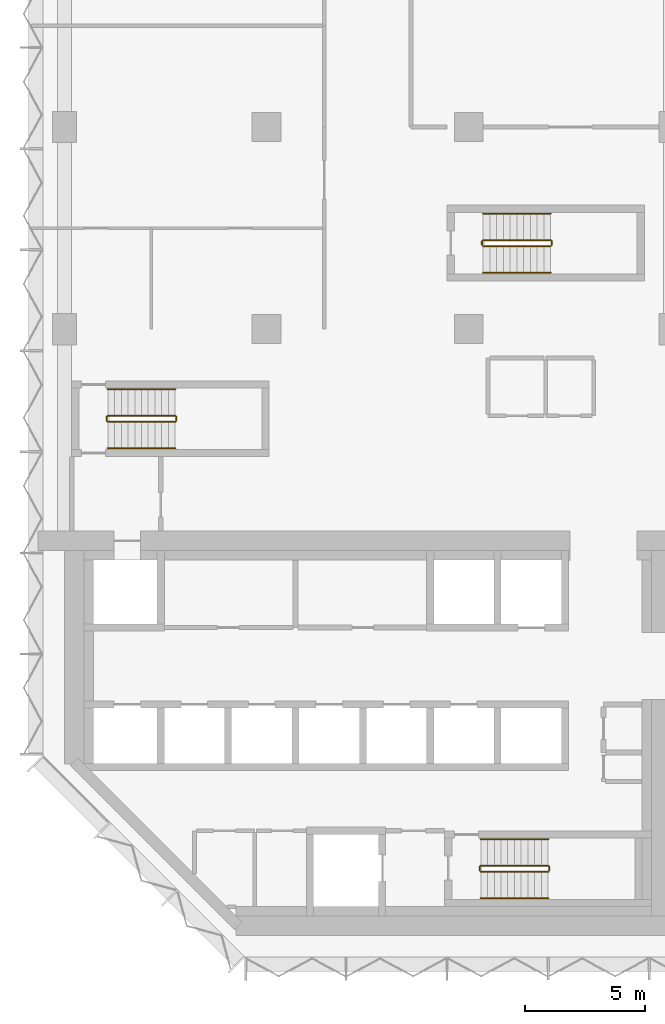
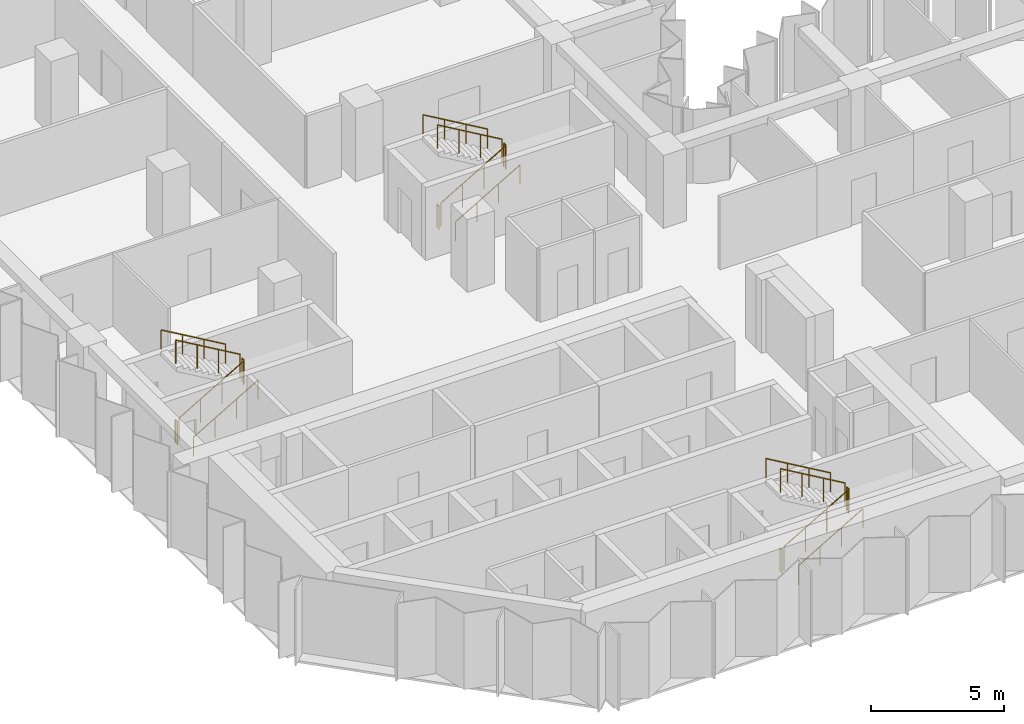
# One storey, part 12 of 13: 18 railings.
"""IFC4 building model written with IfcOpenShell, lengths in metres."""

from ifc_helpers import new_model, si_unit, direction, frame, origin, origin_2d, place, context, subcontext, project, spatial, circle, extrude, material, type_object, element, save


model = new_model("IFC4")

# Units and contexts
model_context = context("Model", 3, precision=1e-05, world=origin(), true_north=direction((0.0, 1.0)))
body_context = subcontext(model_context, "Body", "Model", "MODEL_VIEW")
ifc_project = project(units=[si_unit("LENGTHUNIT", "METRE"), si_unit("AREAUNIT", "SQUARE_METRE"), si_unit("VOLUMEUNIT", "CUBIC_METRE"), si_unit("PLANEANGLEUNIT", "RADIAN"), si_unit("MASSUNIT", "GRAM", prefix="KILO")], contexts=[model_context])

# Site, building, storey
site_placement = place(None, origin())
site = spatial("IfcSite", under=ifc_project, at=site_placement, CompositionType="ELEMENT")
building_placement = place(site_placement, origin())
building = spatial("IfcBuilding", under=site, at=building_placement, Name="Brevane Broadcast Tower", CompositionType="ELEMENT")
storey_placement = place(building_placement, frame((0.0, 0.0, 120.5)))
storey = spatial("IfcBuildingStorey", under=building, at=storey_placement, Name="L29", CompositionType="ELEMENT", Elevation=120.5)

# Railings
ifc_material = material(Name="Steel S355", Category="steel")
railing_type_1 = type_object("IfcRailingType", Name="Exit stair guard", PredefinedType="GUARDRAIL", material=ifc_material)
railing_1_placement = place(storey_placement, frame((1.800048828125, 21.35009765625, 0.16357421875)))
element("IfcRailing", 1, at=railing_1_placement, inside=storey, type_object=railing_type_1, Name="L29 ST-1 stair guard 1", PredefinedType="GUARDRAIL", context=body_context, shape_type="SweptSolid", body=[
    extrude(circle(Radius=0.02392578125, at=origin_2d()), frame((0.0, 0.0, 1.076171875), z_axis=(0.863360870873, 0.0, 0.504586966384), x_axis=(0.0, 1.0, 0.0)), (0.0, 0.0, 1.0), 3.2431640625),
    extrude(circle(Radius=0.02099609375, at=origin_2d()), origin(), (0.0, 0.0, 1.0), 1.052001953125),
    extrude(circle(Radius=0.02099609375, at=origin_2d()), frame((0.933349609375, 0.0, 0.54541015625)), (0.0, 0.0, 1.0), 1.052001953125),
    extrude(circle(Radius=0.02099609375, at=origin_2d()), frame((1.86669921875, 0.0, 1.091064453125)), (0.0, 0.0, 1.0), 1.052001953125),
    extrude(circle(Radius=0.02099609375, at=origin_2d()), frame((2.800048828125, 0.0, 1.636474609375)), (0.0, 0.0, 1.0), 1.052001953125),
])
railing_2_placement = place(storey_placement, frame((4.64990234375, 21.39990234375, 1.800048828125)))
element("IfcRailing", 2, at=railing_2_placement, inside=storey, type_object=railing_type_1, Name="L29 ST-1 stair guard 2", PredefinedType="GUARDRAIL", context=body_context, shape_type="SweptSolid", body=[
    extrude(circle(Radius=0.02392578125, at=origin_2d()), frame((0.0, 0.0, 1.076171875), z_axis=(0.0, 1.0, 0.0), x_axis=(-1.0, 0.0, 0.0)), (0.0, 0.0, 1.0), 0.150146484375),
    extrude(circle(Radius=0.02099609375, at=origin_2d()), origin(), (0.0, 0.0, 1.0), 1.052001953125),
    extrude(circle(Radius=0.02099609375, at=origin_2d()), frame((0.0, 0.150146484375, 0.0)), (0.0, 0.0, 1.0), 1.052001953125),
])
railing_3_placement = place(storey_placement, frame((4.60009765625, 21.60009765625, 1.963623046875)))
element("IfcRailing", 3, at=railing_3_placement, inside=storey, type_object=railing_type_1, Name="L29 ST-1 stair guard 3", PredefinedType="GUARDRAIL", context=body_context, shape_type="SweptSolid", body=[
    extrude(circle(Radius=0.02392578125, at=origin_2d()), frame((0.0, 0.0, 1.076171875), z_axis=(-0.863360870873, 0.0, 0.504586966384), x_axis=(0.0, -1.0, 0.0)), (0.0, 0.0, 1.0), 3.2431640625),
    extrude(circle(Radius=0.02099609375, at=origin_2d()), origin(), (0.0, 0.0, 1.0), 1.052001953125),
    extrude(circle(Radius=0.02099609375, at=origin_2d()), frame((-0.933349609375, 0.0, 0.54541015625)), (0.0, 0.0, 1.0), 1.052001953125),
    extrude(circle(Radius=0.02099609375, at=origin_2d()), frame((-1.86669921875, 0.0, 1.091064453125)), (0.0, 0.0, 1.0), 1.052001953125),
    extrude(circle(Radius=0.02099609375, at=origin_2d()), frame((-2.800048828125, 0.0, 1.636474609375)), (0.0, 0.0, 1.0), 1.052001953125),
])
railing_4_placement = place(storey_placement, frame((1.75, 21.39990234375, 0.0)))
element("IfcRailing", 4, at=railing_4_placement, inside=storey, type_object=railing_type_1, Name="L29 ST-1 stair guard 4", PredefinedType="GUARDRAIL", context=body_context, shape_type="SweptSolid", body=[
    extrude(circle(Radius=0.02392578125, at=origin_2d()), frame((0.0, 0.0, 1.076171875), z_axis=(0.0, 1.0, 0.0), x_axis=(-1.0, 0.0, 0.0)), (0.0, 0.0, 1.0), 0.150146484375),
    extrude(circle(Radius=0.02099609375, at=origin_2d()), origin(), (0.0, 0.0, 1.0), 1.052001953125),
    extrude(circle(Radius=0.02099609375, at=origin_2d()), frame((0.0, 0.150146484375, 0.0)), (0.0, 0.0, 1.0), 1.052001953125),
])
railing_5_placement = place(storey_placement, frame((17.300048828125, 2.64990234375, 0.16357421875)))
element("IfcRailing", 5, at=railing_5_placement, inside=storey, type_object=railing_type_1, Name="L29 ST-2 stair guard 1", PredefinedType="GUARDRAIL", context=body_context, shape_type="SweptSolid", body=[
    extrude(circle(Radius=0.02392578125, at=origin_2d()), frame((0.0, 0.0, 1.076171875), z_axis=(0.863360870873, 0.0, 0.504586966384), x_axis=(0.0, 1.0, 0.0)), (0.0, 0.0, 1.0), 3.2431640625),
    extrude(circle(Radius=0.02099609375, at=origin_2d()), origin(), (0.0, 0.0, 1.0), 1.052001953125),
    extrude(circle(Radius=0.02099609375, at=origin_2d()), frame((0.933349609375, 0.0, 0.54541015625)), (0.0, 0.0, 1.0), 1.052001953125),
    extrude(circle(Radius=0.02099609375, at=origin_2d()), frame((1.86669921875, 0.0, 1.091064453125)), (0.0, 0.0, 1.0), 1.052001953125),
    extrude(circle(Radius=0.02099609375, at=origin_2d()), frame((2.800048828125, 0.0, 1.636474609375)), (0.0, 0.0, 1.0), 1.052001953125),
])
railing_6_placement = place(storey_placement, frame((20.14990234375, 2.699951171875, 1.800048828125)))
element("IfcRailing", 6, at=railing_6_placement, inside=storey, type_object=railing_type_1, Name="L29 ST-2 stair guard 2", PredefinedType="GUARDRAIL", context=body_context, shape_type="SweptSolid", body=[
    extrude(circle(Radius=0.02392578125, at=origin_2d()), frame((0.0, 0.0, 1.076171875), z_axis=(0.0, 1.0, 0.0), x_axis=(-1.0, 0.0, 0.0)), (0.0, 0.0, 1.0), 0.150146484375),
    extrude(circle(Radius=0.02099609375, at=origin_2d()), origin(), (0.0, 0.0, 1.0), 1.052001953125),
    extrude(circle(Radius=0.02099609375, at=origin_2d()), frame((0.0, 0.150146484375, 0.0)), (0.0, 0.0, 1.0), 1.052001953125),
])
railing_7_placement = place(storey_placement, frame((20.10009765625, 2.89990234375, 1.963623046875)))
element("IfcRailing", 7, at=railing_7_placement, inside=storey, type_object=railing_type_1, Name="L29 ST-2 stair guard 3", PredefinedType="GUARDRAIL", context=body_context, shape_type="SweptSolid", body=[
    extrude(circle(Radius=0.02392578125, at=origin_2d()), frame((0.0, 0.0, 1.076171875), z_axis=(-0.863360870873, 0.0, 0.504586966384), x_axis=(0.0, -1.0, 0.0)), (0.0, 0.0, 1.0), 3.2431640625),
    extrude(circle(Radius=0.02099609375, at=origin_2d()), origin(), (0.0, 0.0, 1.0), 1.052001953125),
    extrude(circle(Radius=0.02099609375, at=origin_2d()), frame((-0.933349609375, 0.0, 0.54541015625)), (0.0, 0.0, 1.0), 1.052001953125),
    extrude(circle(Radius=0.02099609375, at=origin_2d()), frame((-1.86669921875, 0.0, 1.091064453125)), (0.0, 0.0, 1.0), 1.052001953125),
    extrude(circle(Radius=0.02099609375, at=origin_2d()), frame((-2.800048828125, 0.0, 1.636474609375)), (0.0, 0.0, 1.0), 1.052001953125),
])
railing_8_placement = place(storey_placement, frame((17.25, 2.699951171875, 0.0)))
element("IfcRailing", 8, at=railing_8_placement, inside=storey, type_object=railing_type_1, Name="L29 ST-2 stair guard 4", PredefinedType="GUARDRAIL", context=body_context, shape_type="SweptSolid", body=[
    extrude(circle(Radius=0.02392578125, at=origin_2d()), frame((0.0, 0.0, 1.076171875), z_axis=(0.0, 1.0, 0.0), x_axis=(-1.0, 0.0, 0.0)), (0.0, 0.0, 1.0), 0.150146484375),
    extrude(circle(Radius=0.02099609375, at=origin_2d()), origin(), (0.0, 0.0, 1.0), 1.052001953125),
    extrude(circle(Radius=0.02099609375, at=origin_2d()), frame((0.0, 0.150146484375, 0.0)), (0.0, 0.0, 1.0), 1.052001953125),
])
railing_9_placement = place(storey_placement, frame((17.39990234375, 28.64990234375, 0.16357421875)))
element("IfcRailing", 9, at=railing_9_placement, inside=storey, type_object=railing_type_1, Name="L29 ST-3 stair guard 1", PredefinedType="GUARDRAIL", context=body_context, shape_type="SweptSolid", body=[
    extrude(circle(Radius=0.02392578125, at=origin_2d()), frame((0.0, 0.0, 1.076171875), z_axis=(0.863360870873, 0.0, 0.504586966384), x_axis=(0.0, 1.0, 0.0)), (0.0, 0.0, 1.0), 3.2431640625),
    extrude(circle(Radius=0.02099609375, at=origin_2d()), origin(), (0.0, 0.0, 1.0), 1.052001953125),
    extrude(circle(Radius=0.02099609375, at=origin_2d()), frame((0.933349609375, 0.0, 0.54541015625)), (0.0, 0.0, 1.0), 1.052001953125),
    extrude(circle(Radius=0.02099609375, at=origin_2d()), frame((1.86669921875, 0.0, 1.091064453125)), (0.0, 0.0, 1.0), 1.052001953125),
    extrude(circle(Radius=0.02099609375, at=origin_2d()), frame((2.800048828125, 0.0, 1.636474609375)), (0.0, 0.0, 1.0), 1.052001953125),
])
railing_10_placement = place(storey_placement, frame((20.25, 28.699951171875, 1.800048828125)))
element("IfcRailing", 10, at=railing_10_placement, inside=storey, type_object=railing_type_1, Name="L29 ST-3 stair guard 2", PredefinedType="GUARDRAIL", context=body_context, shape_type="SweptSolid", body=[
    extrude(circle(Radius=0.02392578125, at=origin_2d()), frame((0.0, 0.0, 1.076171875), z_axis=(0.0, 1.0, 0.0), x_axis=(-1.0, 0.0, 0.0)), (0.0, 0.0, 1.0), 0.150146484375),
    extrude(circle(Radius=0.02099609375, at=origin_2d()), origin(), (0.0, 0.0, 1.0), 1.052001953125),
    extrude(circle(Radius=0.02099609375, at=origin_2d()), frame((0.0, 0.150146484375, 0.0)), (0.0, 0.0, 1.0), 1.052001953125),
])
railing_11_placement = place(storey_placement, frame((20.199951171875, 28.89990234375, 1.963623046875)))
element("IfcRailing", 11, at=railing_11_placement, inside=storey, type_object=railing_type_1, Name="L29 ST-3 stair guard 3", PredefinedType="GUARDRAIL", context=body_context, shape_type="SweptSolid", body=[
    extrude(circle(Radius=0.02392578125, at=origin_2d()), frame((0.0, 0.0, 1.076171875), z_axis=(-0.863360870873, 0.0, 0.504586966384), x_axis=(0.0, -1.0, 0.0)), (0.0, 0.0, 1.0), 3.2431640625),
    extrude(circle(Radius=0.02099609375, at=origin_2d()), origin(), (0.0, 0.0, 1.0), 1.052001953125),
    extrude(circle(Radius=0.02099609375, at=origin_2d()), frame((-0.933349609375, 0.0, 0.54541015625)), (0.0, 0.0, 1.0), 1.052001953125),
    extrude(circle(Radius=0.02099609375, at=origin_2d()), frame((-1.86669921875, 0.0, 1.091064453125)), (0.0, 0.0, 1.0), 1.052001953125),
    extrude(circle(Radius=0.02099609375, at=origin_2d()), frame((-2.800048828125, 0.0, 1.636474609375)), (0.0, 0.0, 1.0), 1.052001953125),
])
railing_12_placement = place(storey_placement, frame((17.35009765625, 28.699951171875, 0.0)))
element("IfcRailing", 12, at=railing_12_placement, inside=storey, type_object=railing_type_1, Name="L29 ST-3 stair guard 4", PredefinedType="GUARDRAIL", context=body_context, shape_type="SweptSolid", body=[
    extrude(circle(Radius=0.02392578125, at=origin_2d()), frame((0.0, 0.0, 1.076171875), z_axis=(0.0, 1.0, 0.0), x_axis=(-1.0, 0.0, 0.0)), (0.0, 0.0, 1.0), 0.150146484375),
    extrude(circle(Radius=0.02099609375, at=origin_2d()), origin(), (0.0, 0.0, 1.0), 1.052001953125),
    extrude(circle(Radius=0.02099609375, at=origin_2d()), frame((0.0, 0.150146484375, 0.0)), (0.0, 0.0, 1.0), 1.052001953125),
])
railing_type_2 = type_object("IfcRailingType", Name="Exit stair handrail", PredefinedType="HANDRAIL", material=ifc_material)
railing_13_placement = place(storey_placement, frame((1.800048828125, 20.25, 0.16357421875)))
element("IfcRailing", 13, at=railing_13_placement, inside=storey, type_object=railing_type_2, Name="L29 ST-1 stair handrail 1", PredefinedType="HANDRAIL", context=body_context, shape_type="SweptSolid", body=[
    extrude(circle(Radius=0.02392578125, at=origin_2d()), frame((0.0, 0.0, 0.8759765625), z_axis=(0.863360870873, 0.0, 0.504586966384), x_axis=(0.0, 1.0, 0.0)), (0.0, 0.0, 1.0), 3.2431640625),
    extrude(circle(Radius=0.02099609375, at=origin_2d()), origin(), (0.0, 0.0, 1.0), 0.851806640625),
    extrude(circle(Radius=0.02099609375, at=origin_2d()), frame((0.933349609375, 0.0, 0.54541015625)), (0.0, 0.0, 1.0), 0.851806640625),
    extrude(circle(Radius=0.02099609375, at=origin_2d()), frame((1.86669921875, 0.0, 1.091064453125)), (0.0, 0.0, 1.0), 0.851806640625),
    extrude(circle(Radius=0.02099609375, at=origin_2d()), frame((2.800048828125, 0.0, 1.636474609375)), (0.0, 0.0, 1.0), 0.851806640625),
])
railing_14_placement = place(storey_placement, frame((4.60009765625, 22.699951171875, 1.963623046875)))
element("IfcRailing", 14, at=railing_14_placement, inside=storey, type_object=railing_type_2, Name="L29 ST-1 stair handrail 2", PredefinedType="HANDRAIL", context=body_context, shape_type="SweptSolid", body=[
    extrude(circle(Radius=0.02392578125, at=origin_2d()), frame((0.0, 0.0, 0.8759765625), z_axis=(-0.863360870873, 0.0, 0.504586966384), x_axis=(0.0, -1.0, 0.0)), (0.0, 0.0, 1.0), 3.2431640625),
    extrude(circle(Radius=0.02099609375, at=origin_2d()), origin(), (0.0, 0.0, 1.0), 0.851806640625),
    extrude(circle(Radius=0.02099609375, at=origin_2d()), frame((-0.933349609375, 0.0, 0.54541015625)), (0.0, 0.0, 1.0), 0.851806640625),
    extrude(circle(Radius=0.02099609375, at=origin_2d()), frame((-1.86669921875, 0.0, 1.091064453125)), (0.0, 0.0, 1.0), 0.851806640625),
    extrude(circle(Radius=0.02099609375, at=origin_2d()), frame((-2.800048828125, 0.0, 1.636474609375)), (0.0, 0.0, 1.0), 0.851806640625),
])
railing_15_placement = place(storey_placement, frame((17.300048828125, 1.550048828125, 0.16357421875)))
element("IfcRailing", 15, at=railing_15_placement, inside=storey, type_object=railing_type_2, Name="L29 ST-2 stair handrail 1", PredefinedType="HANDRAIL", context=body_context, shape_type="SweptSolid", body=[
    extrude(circle(Radius=0.02392578125, at=origin_2d()), frame((0.0, 0.0, 0.8759765625), z_axis=(0.863360870873, 0.0, 0.504586966384), x_axis=(0.0, 1.0, 0.0)), (0.0, 0.0, 1.0), 3.2431640625),
    extrude(circle(Radius=0.02099609375, at=origin_2d()), origin(), (0.0, 0.0, 1.0), 0.851806640625),
    extrude(circle(Radius=0.02099609375, at=origin_2d()), frame((0.933349609375, 0.0, 0.54541015625)), (0.0, 0.0, 1.0), 0.851806640625),
    extrude(circle(Radius=0.02099609375, at=origin_2d()), frame((1.86669921875, 0.0, 1.091064453125)), (0.0, 0.0, 1.0), 0.851806640625),
    extrude(circle(Radius=0.02099609375, at=origin_2d()), frame((2.800048828125, 0.0, 1.636474609375)), (0.0, 0.0, 1.0), 0.851806640625),
])
railing_16_placement = place(storey_placement, frame((20.10009765625, 4.0, 1.963623046875)))
element("IfcRailing", 16, at=railing_16_placement, inside=storey, type_object=railing_type_2, Name="L29 ST-2 stair handrail 2", PredefinedType="HANDRAIL", context=body_context, shape_type="SweptSolid", body=[
    extrude(circle(Radius=0.02392578125, at=origin_2d()), frame((0.0, 0.0, 0.8759765625), z_axis=(-0.863360870873, 0.0, 0.504586966384), x_axis=(0.0, -1.0, 0.0)), (0.0, 0.0, 1.0), 3.2431640625),
    extrude(circle(Radius=0.02099609375, at=origin_2d()), origin(), (0.0, 0.0, 1.0), 0.851806640625),
    extrude(circle(Radius=0.02099609375, at=origin_2d()), frame((-0.933349609375, 0.0, 0.54541015625)), (0.0, 0.0, 1.0), 0.851806640625),
    extrude(circle(Radius=0.02099609375, at=origin_2d()), frame((-1.86669921875, 0.0, 1.091064453125)), (0.0, 0.0, 1.0), 0.851806640625),
    extrude(circle(Radius=0.02099609375, at=origin_2d()), frame((-2.800048828125, 0.0, 1.636474609375)), (0.0, 0.0, 1.0), 0.851806640625),
])
railing_17_placement = place(storey_placement, frame((17.39990234375, 27.550048828125, 0.16357421875)))
element("IfcRailing", 17, at=railing_17_placement, inside=storey, type_object=railing_type_2, Name="L29 ST-3 stair handrail 1", PredefinedType="HANDRAIL", context=body_context, shape_type="SweptSolid", body=[
    extrude(circle(Radius=0.02392578125, at=origin_2d()), frame((0.0, 0.0, 0.8759765625), z_axis=(0.863360870873, 0.0, 0.504586966384), x_axis=(0.0, 1.0, 0.0)), (0.0, 0.0, 1.0), 3.2431640625),
    extrude(circle(Radius=0.02099609375, at=origin_2d()), origin(), (0.0, 0.0, 1.0), 0.851806640625),
    extrude(circle(Radius=0.02099609375, at=origin_2d()), frame((0.933349609375, 0.0, 0.54541015625)), (0.0, 0.0, 1.0), 0.851806640625),
    extrude(circle(Radius=0.02099609375, at=origin_2d()), frame((1.86669921875, 0.0, 1.091064453125)), (0.0, 0.0, 1.0), 0.851806640625),
    extrude(circle(Radius=0.02099609375, at=origin_2d()), frame((2.800048828125, 0.0, 1.636474609375)), (0.0, 0.0, 1.0), 0.851806640625),
])
railing_18_placement = place(storey_placement, frame((20.199951171875, 30.0, 1.963623046875)))
element("IfcRailing", 18, at=railing_18_placement, inside=storey, type_object=railing_type_2, Name="L29 ST-3 stair handrail 2", PredefinedType="HANDRAIL", context=body_context, shape_type="SweptSolid", body=[
    extrude(circle(Radius=0.02392578125, at=origin_2d()), frame((0.0, 0.0, 0.8759765625), z_axis=(-0.863360870873, 0.0, 0.504586966384), x_axis=(0.0, -1.0, 0.0)), (0.0, 0.0, 1.0), 3.2431640625),
    extrude(circle(Radius=0.02099609375, at=origin_2d()), origin(), (0.0, 0.0, 1.0), 0.851806640625),
    extrude(circle(Radius=0.02099609375, at=origin_2d()), frame((-0.933349609375, 0.0, 0.54541015625)), (0.0, 0.0, 1.0), 0.851806640625),
    extrude(circle(Radius=0.02099609375, at=origin_2d()), frame((-1.86669921875, 0.0, 1.091064453125)), (0.0, 0.0, 1.0), 0.851806640625),
    extrude(circle(Radius=0.02099609375, at=origin_2d()), frame((-2.800048828125, 0.0, 1.636474609375)), (0.0, 0.0, 1.0), 0.851806640625),
])

save(model, "model.ifc")
